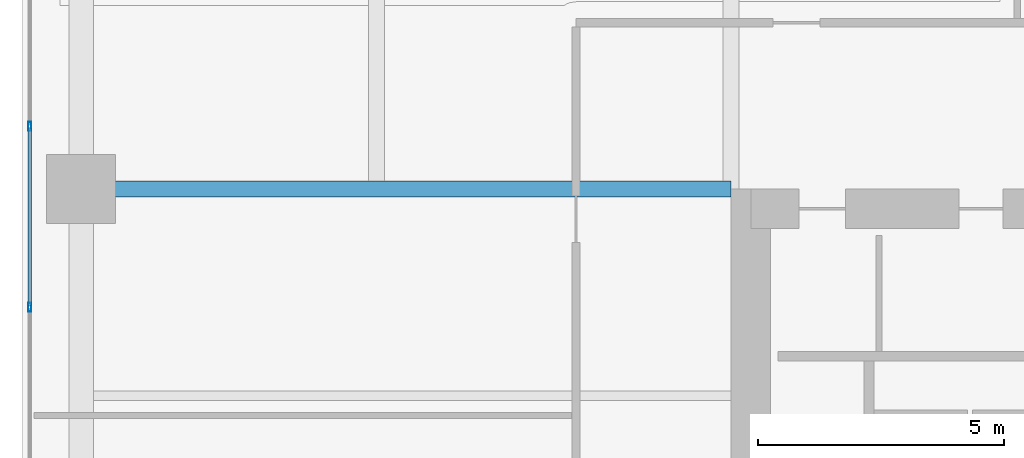
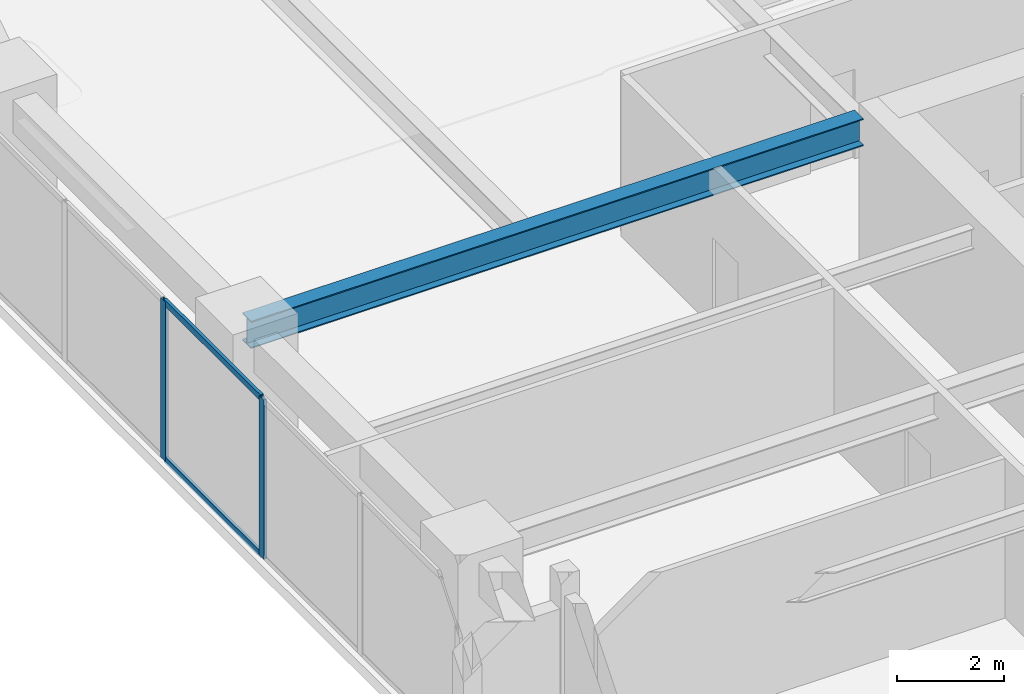
# One storey, part 8 of 24: 4 members, 1 beam, 1 element without a shape of its own.
"""IFC4 building model written with IfcOpenShell, lengths in metres."""

from ifc_helpers import new_model, si_unit, direction, frame, origin, origin_2d, place, context, subcontext, project, spatial, hollow_rectangle, i_section, extrude, material, layer, layer_set, material_profile, profile_set, type_object, element, aggregate, save


model = new_model("IFC4")

# Units and contexts
model_context = context("Model", 3, precision=1e-05, world=origin(), true_north=direction((0.0, 1.0)))
body_context = subcontext(model_context, "Body", "Model", "MODEL_VIEW")
ifc_project = project(units=[si_unit("LENGTHUNIT", "METRE"), si_unit("AREAUNIT", "SQUARE_METRE"), si_unit("VOLUMEUNIT", "CUBIC_METRE"), si_unit("PLANEANGLEUNIT", "RADIAN"), si_unit("MASSUNIT", "GRAM", prefix="KILO")], contexts=[model_context])

# Site, building, storey
site_placement = place(None, origin())
site = spatial("IfcSite", under=ifc_project, at=site_placement, CompositionType="ELEMENT")
building_placement = place(site_placement, origin())
building = spatial("IfcBuilding", under=site, at=building_placement, Name="Kiyonajd Concourse Tower", CompositionType="ELEMENT")
storey_placement = place(building_placement, frame((0.0, 0.0, 93.60009765625)))
storey = spatial("IfcBuildingStorey", under=building, at=storey_placement, Name="L24", CompositionType="ELEMENT", Elevation=93.60009765625)

# Beam
ifc_material_1 = material(Name="Steel ASTM A992 Grade 50", Category="steel")
ifc_material_profile_1 = material_profile(ifc_material_1, i_section(OverallWidth=0.326904296875, OverallDepth=0.6220703125, WebThickness=0.015380859375, FlangeThickness=0.0244140625, at=origin_2d()), Name="W610X195")
ifc_profile_set_1 = profile_set([ifc_material_profile_1], Name="Steel ASTM A992 Grade 50")
beam_type = type_object("IfcBeamType", Name="BM-TWR-610A", PredefinedType="BEAM", material=ifc_profile_set_1)
beam_placement = place(storey_placement, frame((19.199951171875, 44.39990234375, 3.328857421875), z_axis=(1.0, 0.0, 0.0), x_axis=(0.0, 1.0, 0.0)))
element("IfcBeam", 1, at=beam_placement, inside=storey, type_object=beam_type, Name="L24 West Lease Girder", PredefinedType="BEAM", context=body_context, shape_type="SweptSolid", body=[
    extrude(i_section(OverallWidth=0.326904296875, OverallDepth=0.6220703125, WebThickness=0.015380859375, FlangeThickness=0.0244140625, at=origin_2d()), origin(), (0.0, 0.0, 1.0), 13.199951171875),
])

# Curtain wall, members
ifc_material_2 = material(Name="Thermally Broken Anodised Aluminium", Category="aluminium")
ifc_layer = layer(ifc_material_2, 0.179931640625)
ifc_layer_set = layer_set([ifc_layer], Name="Thermally Broken Anodised Aluminium")
curtain_wall_type = type_object("IfcCurtainWallType", Name="CW-SYS-03", PredefinedType="NOTDEFINED", material=ifc_layer_set)
curtain_wall_placement = place(storey_placement, origin())
curtain_wall = element("IfcCurtainWall", 2, at=curtain_wall_placement, inside=storey, type_object=curtain_wall_type, Name="L24 Unitised Curtain Wall CW3", PredefinedType="NOTDEFINED")
ifc_material_profile_2 = material_profile(ifc_material_2, hollow_rectangle(XDim=0.06494140625, YDim=0.179931640625, WallThickness=0.00390625, at=origin_2d()), Name="MULL-65x180")
ifc_profile_set_2 = profile_set([ifc_material_profile_2], Name="Thermally Broken Anodised Aluminium")
member_type_1 = type_object("IfcMemberType", Name="MB-CW-MULL1", PredefinedType="MULLION", material=ifc_profile_set_2)
member_1_placement = place(storey_placement, frame((18.159912109375, 41.996337890625, 0.0), z_axis=(0.0, 0.0, 1.0), x_axis=(-1.0, 0.0, 0.0)))
member_1 = element("IfcMember", 3, at=member_1_placement, type_object=member_type_1, Name="CW3 mullion 3", PredefinedType="MULLION", context=body_context, shape_type="SweptSolid", body=[
    extrude(hollow_rectangle(XDim=0.06494140625, YDim=0.179931640625, WallThickness=0.00390625, at=origin_2d()), origin(), (0.0, 0.0, 1.0), 3.639892578125),
])
member_2_placement = place(storey_placement, frame((18.159912109375, 45.66943359375, 0.0), z_axis=(0.0, 0.0, 1.0), x_axis=(-1.0, 0.0, 0.0)))
member_2 = element("IfcMember", 4, at=member_2_placement, type_object=member_type_1, Name="CW3 mullion 4", PredefinedType="MULLION", context=body_context, shape_type="SweptSolid", body=[
    extrude(hollow_rectangle(XDim=0.06494140625, YDim=0.179931640625, WallThickness=0.00390625, at=origin_2d()), origin(), (0.0, 0.0, 1.0), 3.639892578125),
])
ifc_material_profile_3 = material_profile(ifc_material_2, hollow_rectangle(XDim=0.06494140625, YDim=0.139892578125, WallThickness=0.00390625, at=origin_2d()), Name="TRAN-65x140")
ifc_profile_set_3 = profile_set([ifc_material_profile_3], Name="Thermally Broken Anodised Aluminium")
member_type_2 = type_object("IfcMemberType", Name="MB-CW-TRAN1", PredefinedType="USERDEFINED", material=ifc_profile_set_3)
member_3_placement = place(storey_placement, frame((18.159912109375, 42.02880859375, 0.032470703125), z_axis=(0.0, 1.0, 0.0), x_axis=(-1.0, 0.0, 0.0)))
member_3 = element("IfcMember", 5, at=member_3_placement, type_object=member_type_2, Name="CW3 transom 3.1", ObjectType="TRANSOM", PredefinedType="USERDEFINED", context=body_context, shape_type="SweptSolid", body=[
    extrude(hollow_rectangle(XDim=0.06494140625, YDim=0.139892578125, WallThickness=0.00390625, at=origin_2d()), origin(), (0.0, 0.0, 1.0), 3.608154296875),
])
member_4_placement = place(storey_placement, frame((18.159912109375, 42.02880859375, 3.607421875), z_axis=(0.0, 1.0, 0.0), x_axis=(-1.0, 0.0, 0.0)))
member_4 = element("IfcMember", 6, at=member_4_placement, type_object=member_type_2, Name="CW3 transom 3.2", ObjectType="TRANSOM", PredefinedType="USERDEFINED", context=body_context, shape_type="SweptSolid", body=[
    extrude(hollow_rectangle(XDim=0.06494140625, YDim=0.139892578125, WallThickness=0.00390625, at=origin_2d()), origin(), (0.0, 0.0, 1.0), 3.608154296875),
])
aggregate(curtain_wall, [member_1, member_2, member_3, member_4])

save(model, "model.ifc")
